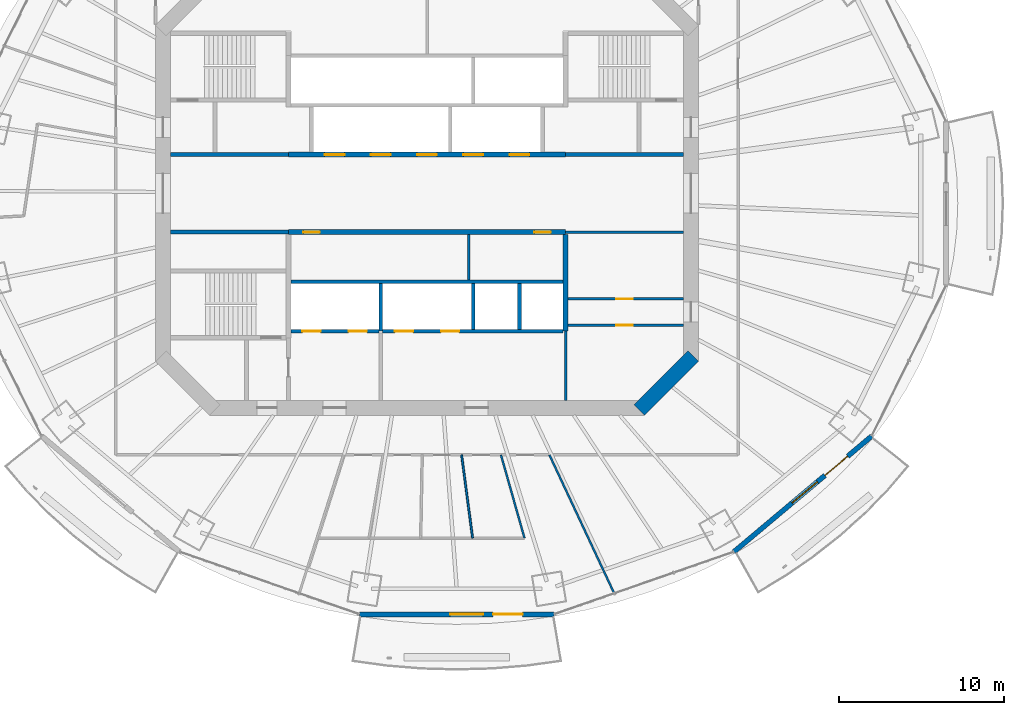
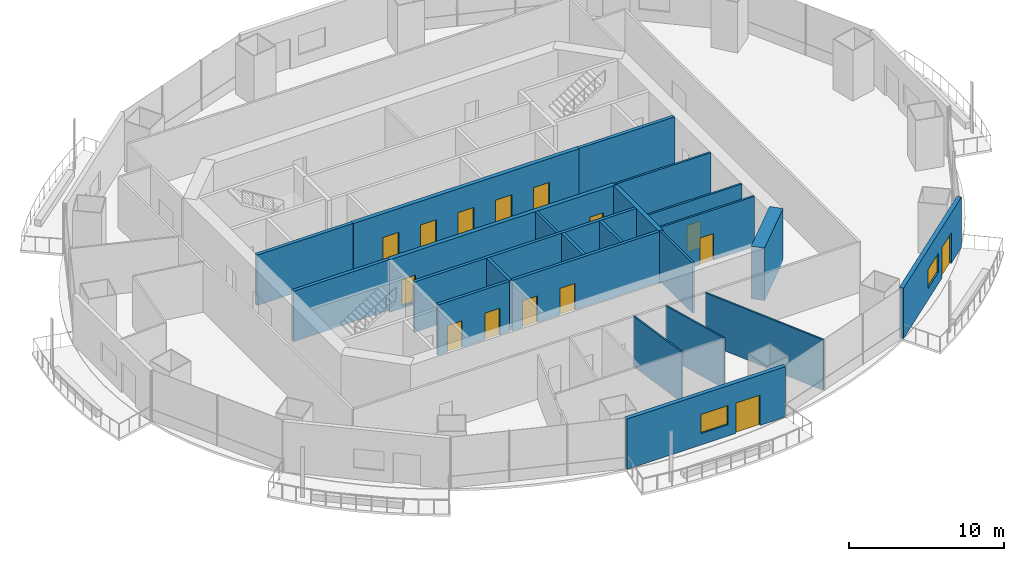
# One storey, part 11 of 19: 23 walls, 15 doors, 2 windows, 17 openings.
"""IFC4 building model written with IfcOpenShell, lengths in metres."""

from ifc_helpers import new_model, si_unit, direction, frame, frame_2d, origin, place, context, subcontext, project, spatial, rectangle, extrude, material, layer, layer_set, type_object, element, fill, save


model = new_model("IFC4")

# Units and contexts
model_context = context("Model", 3, precision=1e-05, world=origin(), true_north=direction((0.0, 1.0)))
body_context = subcontext(model_context, "Body", "Model", "MODEL_VIEW")
ifc_project = project(units=[si_unit("LENGTHUNIT", "METRE"), si_unit("AREAUNIT", "SQUARE_METRE"), si_unit("VOLUMEUNIT", "CUBIC_METRE"), si_unit("PLANEANGLEUNIT", "RADIAN"), si_unit("MASSUNIT", "GRAM", prefix="KILO")], contexts=[model_context])

# Site, building, storey
site_placement = place(None, origin())
site = spatial("IfcSite", under=ifc_project, at=site_placement, CompositionType="ELEMENT")
building_placement = place(site_placement, origin())
building = spatial("IfcBuilding", under=site, at=building_placement, Name="Marenthal Gate Tower", CompositionType="ELEMENT")
storey_placement = place(building_placement, frame((0.0, 0.0, 235.75)))
storey = spatial("IfcBuildingStorey", under=building, at=storey_placement, Name="L52", CompositionType="ELEMENT", Elevation=235.75)

# Wall
ifc_material_1 = material(Name="Concrete 60 MPa", Category="concrete")
ifc_layer_1 = layer(ifc_material_1, 0.89990234375)
ifc_layer_set_1 = layer_set([ifc_layer_1], Name="Core shear wall 900")
wall_type_1 = type_object("IfcWallType", Name="Core shear wall 900", PredefinedType="SHEAR", material=ifc_layer_set_1)
wall_1_placement = place(storey_placement, frame((12.8681640625, -13.1318359375, -0.179931640625), z_axis=(0.0, 0.0, 1.0), x_axis=(0.707106781187, 0.707106781187, 0.0)))
element("IfcWall", 1, at=wall_1_placement, inside=storey, type_object=wall_type_1, Name="Core wall 01", PredefinedType="SHEAR", context=body_context, shape_type="SweptSolid", body=[
    extrude(rectangle(XDim=4.615478515625, YDim=0.89990234375, at=frame_2d((2.3076171875, 0.0))), origin(), (0.0, 0.0, 1.0), 4.14990234375),
])

# Wall, openings, doors
ifc_material_2 = material(Name="Concrete 50 MPa", Category="concrete")
ifc_layer_2 = layer(ifc_material_2, 0.300048828125)
ifc_layer_set_2 = layer_set([ifc_layer_2], Name="Hoistway shear wall 300")
wall_type_2 = type_object("IfcWallType", Name="Hoistway shear wall 300", PredefinedType="SHEAR", material=ifc_layer_set_2)
wall_2_placement = place(storey_placement, frame((-8.39990234375, -2.35009765625, -0.179931640625), z_axis=(0.0, 0.0, 1.0), x_axis=(1.0, 0.0, 0.0)))
wall_2 = element("IfcWall", 2, at=wall_2_placement, inside=storey, type_object=wall_type_2, Name="Hoistway wall 17", PredefinedType="SHEAR", context=body_context, shape_type="SweptSolid", body=[
    extrude(rectangle(XDim=16.7998046875, YDim=0.300048828125, at=frame_2d((8.39990234375, 0.0))), origin(), (0.0, 0.0, 1.0), 4.14990234375),
])
opening_1_placement = place(wall_2_placement, frame((0.89990234375, 0.0, 0.179931640625)))
opening_1 = element("IfcOpeningElement", 3, at=opening_1_placement, cuts=wall_2, Name="Opening D005.01", PredefinedType="OPENING", context=body_context, shape_type="SweptSolid", body=[
    extrude(rectangle(XDim=1.0, YDim=2.10009765625, at=frame_2d((0.5, 1.050048828125))), frame((0.0, 0.16015625, 0.0), z_axis=(0.0, -1.0, 0.0), x_axis=(1.0, 0.0, 0.0)), (0.0, 0.0, 1.0), 0.320068359375),
])
opening_2_placement = place(wall_2_placement, frame((14.89990234375, 0.0, 0.179931640625)))
opening_2 = element("IfcOpeningElement", 4, at=opening_2_placement, cuts=wall_2, Name="Opening D005.02", PredefinedType="OPENING", context=body_context, shape_type="SweptSolid", body=[
    extrude(rectangle(XDim=1.0, YDim=2.10009765625, at=frame_2d((0.5, 1.050048828125))), frame((0.0, 0.16015625, 0.0), z_axis=(0.0, -1.0, 0.0), x_axis=(1.0, 0.0, 0.0)), (0.0, 0.0, 1.0), 0.320068359375),
])
ifc_material_3 = material(Name="Steel fire door", Category="steel")
door_type_1 = type_object("IfcDoorType", Name="Fire door FD 45 1000 x 2100", OperationType="NOTDEFINED", PredefinedType="DOOR", material=ifc_material_3)
door_1_placement = place(opening_1_placement, frame((1.0, 0.0, 0.0), z_axis=(0.0, 0.0, 1.0), x_axis=(-1.0, 0.0, 0.0)))
door_1 = element("IfcDoor", 5, at=door_1_placement, inside=storey, type_object=door_type_1, Name="Door D005.01", OperationType="SINGLE_SWING_LEFT", OverallHeight=2.10009765625, OverallWidth=1.0, PredefinedType="DOOR", context=body_context, shape_type="SweptSolid", body=[
    extrude(rectangle(XDim=1.0, YDim=2.10009765625, at=frame_2d((0.5, 1.050048828125))), frame((0.0, 0.02490234375, 0.0), z_axis=(0.0, -1.0, 0.0), x_axis=(1.0, 0.0, 0.0)), (0.0, 0.0, 1.0), 0.050048828125),
])
fill(opening_1, door_1)
door_2_placement = place(opening_2_placement, frame((1.0, 0.0, 0.0), z_axis=(0.0, 0.0, 1.0), x_axis=(-1.0, 0.0, 0.0)))
door_2 = element("IfcDoor", 6, at=door_2_placement, inside=storey, type_object=door_type_1, Name="Door D005.02", OperationType="SINGLE_SWING_LEFT", OverallHeight=2.10009765625, OverallWidth=1.0, PredefinedType="DOOR", context=body_context, shape_type="SweptSolid", body=[
    extrude(rectangle(XDim=1.0, YDim=2.10009765625, at=frame_2d((0.5, 1.050048828125))), frame((0.0, 0.02490234375, 0.0), z_axis=(0.0, -1.0, 0.0), x_axis=(1.0, 0.0, 0.0)), (0.0, 0.0, 1.0), 0.050048828125),
])
fill(opening_2, door_2)

wall_3_placement = place(storey_placement, frame((-8.39990234375, 2.35009765625, -0.179931640625), z_axis=(0.0, 0.0, 1.0), x_axis=(1.0, 0.0, 0.0)))
wall_3 = element("IfcWall", 7, at=wall_3_placement, inside=storey, type_object=wall_type_2, Name="Hoistway wall 20", PredefinedType="SHEAR", context=body_context, shape_type="SweptSolid", body=[
    extrude(rectangle(XDim=16.7998046875, YDim=0.300048828125, at=frame_2d((8.39990234375, 0.0))), origin(), (0.0, 0.0, 1.0), 4.14990234375),
])
opening_3_placement = place(wall_3_placement, frame((2.199951171875, 0.0, 0.179931640625)))
opening_3 = element("IfcOpeningElement", 8, at=opening_3_placement, cuts=wall_3, Name="Opening LD-MP1", PredefinedType="OPENING", context=body_context, shape_type="SweptSolid", body=[
    extrude(rectangle(XDim=1.199951171875, YDim=2.10009765625, at=frame_2d((0.60009765625, 1.050048828125))), frame((0.0, 0.16015625, 0.0), z_axis=(0.0, -1.0, 0.0), x_axis=(1.0, 0.0, 0.0)), (0.0, 0.0, 1.0), 0.320068359375),
])
opening_4_placement = place(wall_3_placement, frame((5.0, 0.0, 0.179931640625)))
opening_4 = element("IfcOpeningElement", 9, at=opening_4_placement, cuts=wall_3, Name="Opening LD-MP2", PredefinedType="OPENING", context=body_context, shape_type="SweptSolid", body=[
    extrude(rectangle(XDim=1.199951171875, YDim=2.10009765625, at=frame_2d((0.60009765625, 1.050048828125))), frame((0.0, 0.16015625, 0.0), z_axis=(0.0, -1.0, 0.0), x_axis=(1.0, 0.0, 0.0)), (0.0, 0.0, 1.0), 0.320068359375),
])
opening_5_placement = place(wall_3_placement, frame((7.800048828125, 0.0, 0.179931640625)))
opening_5 = element("IfcOpeningElement", 10, at=opening_5_placement, cuts=wall_3, Name="Opening LD-MP3", PredefinedType="OPENING", context=body_context, shape_type="SweptSolid", body=[
    extrude(rectangle(XDim=1.199951171875, YDim=2.10009765625, at=frame_2d((0.60009765625, 1.050048828125))), frame((0.0, 0.16015625, 0.0), z_axis=(0.0, -1.0, 0.0), x_axis=(1.0, 0.0, 0.0)), (0.0, 0.0, 1.0), 0.320068359375),
])
opening_6_placement = place(wall_3_placement, frame((10.60009765625, 0.0, 0.179931640625)))
opening_6 = element("IfcOpeningElement", 11, at=opening_6_placement, cuts=wall_3, Name="Opening LD-MP4", PredefinedType="OPENING", context=body_context, shape_type="SweptSolid", body=[
    extrude(rectangle(XDim=1.199951171875, YDim=2.10009765625, at=frame_2d((0.60009765625, 1.050048828125))), frame((0.0, 0.16015625, 0.0), z_axis=(0.0, -1.0, 0.0), x_axis=(1.0, 0.0, 0.0)), (0.0, 0.0, 1.0), 0.320068359375),
])
opening_7_placement = place(wall_3_placement, frame((13.39990234375, 0.0, 0.179931640625)))
opening_7 = element("IfcOpeningElement", 12, at=opening_7_placement, cuts=wall_3, Name="Opening LD-MP5", PredefinedType="OPENING", context=body_context, shape_type="SweptSolid", body=[
    extrude(rectangle(XDim=1.199951171875, YDim=2.10009765625, at=frame_2d((0.60009765625, 1.050048828125))), frame((0.0, 0.16015625, 0.0), z_axis=(0.0, -1.0, 0.0), x_axis=(1.0, 0.0, 0.0)), (0.0, 0.0, 1.0), 0.320068359375),
])
ifc_material_4 = material(Name="Stainless steel sliding door", Category="steel")
door_type_2 = type_object("IfcDoorType", Name="Lift landing door FD 90 1200 x 2100", OperationType="DOUBLE_DOOR_SLIDING", PredefinedType="DOOR", material=ifc_material_4)
door_3_placement = place(opening_3_placement, origin())
door_3 = element("IfcDoor", 13, at=door_3_placement, inside=storey, type_object=door_type_2, Name="Lift landing door MP1", OperationType="DOUBLE_DOOR_SLIDING", OverallHeight=2.10009765625, OverallWidth=1.199951171875, PredefinedType="DOOR", context=body_context, shape_type="SweptSolid", body=[
    extrude(rectangle(XDim=1.199951171875, YDim=2.10009765625, at=frame_2d((0.60009765625, 1.050048828125))), frame((0.0, 0.02490234375, 0.0), z_axis=(0.0, -1.0, 0.0), x_axis=(1.0, 0.0, 0.0)), (0.0, 0.0, 1.0), 0.050048828125),
])
fill(opening_3, door_3)
door_4_placement = place(opening_4_placement, origin())
door_4 = element("IfcDoor", 14, at=door_4_placement, inside=storey, type_object=door_type_2, Name="Lift landing door MP2", OperationType="DOUBLE_DOOR_SLIDING", OverallHeight=2.10009765625, OverallWidth=1.199951171875, PredefinedType="DOOR", context=body_context, shape_type="SweptSolid", body=[
    extrude(rectangle(XDim=1.199951171875, YDim=2.10009765625, at=frame_2d((0.60009765625, 1.050048828125))), frame((0.0, 0.02490234375, 0.0), z_axis=(0.0, -1.0, 0.0), x_axis=(1.0, 0.0, 0.0)), (0.0, 0.0, 1.0), 0.050048828125),
])
fill(opening_4, door_4)
door_5_placement = place(opening_5_placement, origin())
door_5 = element("IfcDoor", 15, at=door_5_placement, inside=storey, type_object=door_type_2, Name="Lift landing door MP3", OperationType="DOUBLE_DOOR_SLIDING", OverallHeight=2.10009765625, OverallWidth=1.199951171875, PredefinedType="DOOR", context=body_context, shape_type="SweptSolid", body=[
    extrude(rectangle(XDim=1.199951171875, YDim=2.10009765625, at=frame_2d((0.60009765625, 1.050048828125))), frame((0.0, 0.02490234375, 0.0), z_axis=(0.0, -1.0, 0.0), x_axis=(1.0, 0.0, 0.0)), (0.0, 0.0, 1.0), 0.050048828125),
])
fill(opening_5, door_5)
door_6_placement = place(opening_6_placement, origin())
door_6 = element("IfcDoor", 16, at=door_6_placement, inside=storey, type_object=door_type_2, Name="Lift landing door MP4", OperationType="DOUBLE_DOOR_SLIDING", OverallHeight=2.10009765625, OverallWidth=1.199951171875, PredefinedType="DOOR", context=body_context, shape_type="SweptSolid", body=[
    extrude(rectangle(XDim=1.199951171875, YDim=2.10009765625, at=frame_2d((0.60009765625, 1.050048828125))), frame((0.0, 0.02490234375, 0.0), z_axis=(0.0, -1.0, 0.0), x_axis=(1.0, 0.0, 0.0)), (0.0, 0.0, 1.0), 0.050048828125),
])
fill(opening_6, door_6)
door_7_placement = place(opening_7_placement, origin())
door_7 = element("IfcDoor", 17, at=door_7_placement, inside=storey, type_object=door_type_2, Name="Lift landing door MP5", OperationType="DOUBLE_DOOR_SLIDING", OverallHeight=2.10009765625, OverallWidth=1.199951171875, PredefinedType="DOOR", context=body_context, shape_type="SweptSolid", body=[
    extrude(rectangle(XDim=1.199951171875, YDim=2.10009765625, at=frame_2d((0.60009765625, 1.050048828125))), frame((0.0, 0.02490234375, 0.0), z_axis=(0.0, -1.0, 0.0), x_axis=(1.0, 0.0, 0.0)), (0.0, 0.0, 1.0), 0.050048828125),
])
fill(opening_7, door_7)

# Wall
wall_4_placement = place(storey_placement, frame((8.39990234375, -8.35009765625, -0.179931640625), z_axis=(0.0, 0.0, 1.0), x_axis=(0.0, 1.0, 0.0)))
element("IfcWall", 18, at=wall_4_placement, inside=storey, type_object=wall_type_2, Name="Hoistway wall 45", PredefinedType="SHEAR", context=body_context, shape_type="SweptSolid", body=[
    extrude(rectangle(XDim=5.85009765625, YDim=0.300048828125, at=frame_2d((2.925048828125, 0.0))), origin(), (0.0, 0.0, 1.0), 4.14990234375),
])

# Wall, openings, doors
ifc_material_5 = material(Name="Concrete 40 MPa", Category="concrete")
ifc_layer_3 = layer(ifc_material_5, 0.219970703125)
ifc_layer_set_3 = layer_set([ifc_layer_3], Name="Hoistway wall 220")
wall_type_3 = type_object("IfcWallType", Name="Hoistway wall 220", PredefinedType="STANDARD", material=ifc_layer_set_3)
wall_5_placement = place(storey_placement, frame((-8.25, -8.35009765625, 0.0), z_axis=(0.0, 0.0, 1.0), x_axis=(1.0, 0.0, 0.0)))
wall_5 = element("IfcWall", 19, at=wall_5_placement, inside=storey, type_object=wall_type_3, Name="Hoistway wall 10", PredefinedType="STANDARD", context=body_context, shape_type="SweptSolid", body=[
    extrude(rectangle(XDim=5.340087890625, YDim=0.219970703125, at=frame_2d((2.669921875, 0.0))), origin(), (0.0, 0.0, 1.0), 3.969970703125),
])
opening_8_placement = place(wall_5_placement, frame((0.699951171875, 0.0, 0.0)))
opening_8 = element("IfcOpeningElement", 20, at=opening_8_placement, cuts=wall_5, Name="Opening LD-LF1", PredefinedType="OPENING", context=body_context, shape_type="SweptSolid", body=[
    extrude(rectangle(XDim=1.10009765625, YDim=2.10009765625, at=frame_2d((0.550048828125, 1.050048828125))), frame((0.0, 0.1201171875, 0.0), z_axis=(0.0, -1.0, 0.0), x_axis=(1.0, 0.0, 0.0)), (0.0, 0.0, 1.0), 0.239990234375),
])
opening_9_placement = place(wall_5_placement, frame((3.5, 0.0, 0.0)))
opening_9 = element("IfcOpeningElement", 21, at=opening_9_placement, cuts=wall_5, Name="Opening LD-LF2", PredefinedType="OPENING", context=body_context, shape_type="SweptSolid", body=[
    extrude(rectangle(XDim=1.10009765625, YDim=2.10009765625, at=frame_2d((0.550048828125, 1.050048828125))), frame((0.0, 0.1201171875, 0.0), z_axis=(0.0, -1.0, 0.0), x_axis=(1.0, 0.0, 0.0)), (0.0, 0.0, 1.0), 0.239990234375),
])
ifc_material_6 = material(Name="Stainless steel sliding door", Category="steel")
door_type_3 = type_object("IfcDoorType", Name="Lift landing door FD 90 1100 x 2100", OperationType="DOUBLE_DOOR_SLIDING", PredefinedType="DOOR", material=ifc_material_6)
door_8_placement = place(opening_8_placement, origin())
door_8 = element("IfcDoor", 22, at=door_8_placement, inside=storey, type_object=door_type_3, Name="Lift landing door LF1", OperationType="DOUBLE_DOOR_SLIDING", OverallHeight=2.10009765625, OverallWidth=1.10009765625, PredefinedType="DOOR", context=body_context, shape_type="SweptSolid", body=[
    extrude(rectangle(XDim=1.10009765625, YDim=2.10009765625, at=frame_2d((0.550048828125, 1.050048828125))), frame((0.0, 0.02490234375, 0.0), z_axis=(0.0, -1.0, 0.0), x_axis=(1.0, 0.0, 0.0)), (0.0, 0.0, 1.0), 0.050048828125),
])
fill(opening_8, door_8)
door_9_placement = place(opening_9_placement, origin())
door_9 = element("IfcDoor", 23, at=door_9_placement, inside=storey, type_object=door_type_3, Name="Lift landing door LF2", OperationType="DOUBLE_DOOR_SLIDING", OverallHeight=2.10009765625, OverallWidth=1.10009765625, PredefinedType="DOOR", context=body_context, shape_type="SweptSolid", body=[
    extrude(rectangle(XDim=1.10009765625, YDim=2.10009765625, at=frame_2d((0.550048828125, 1.050048828125))), frame((0.0, 0.02490234375, 0.0), z_axis=(0.0, -1.0, 0.0), x_axis=(1.0, 0.0, 0.0)), (0.0, 0.0, 1.0), 0.050048828125),
])
fill(opening_9, door_9)

wall_6_placement = place(storey_placement, frame((-2.68994140625, -8.35009765625, 0.0), z_axis=(0.0, 0.0, 1.0), x_axis=(1.0, 0.0, 0.0)))
wall_6 = element("IfcWall", 24, at=wall_6_placement, inside=storey, type_object=wall_type_3, Name="Hoistway wall 11", PredefinedType="STANDARD", context=body_context, shape_type="SweptSolid", body=[
    extrude(rectangle(XDim=10.93994140625, YDim=0.219970703125, at=frame_2d((5.469970703125, 0.0))), origin(), (0.0, 0.0, 1.0), 3.969970703125),
])
opening_10_placement = place(wall_6_placement, frame((0.739990234375, 0.0, 0.0)))
opening_10 = element("IfcOpeningElement", 25, at=opening_10_placement, cuts=wall_6, Name="Opening LD-SV1", PredefinedType="OPENING", context=body_context, shape_type="SweptSolid", body=[
    extrude(rectangle(XDim=1.10009765625, YDim=2.10009765625, at=frame_2d((0.550048828125, 1.050048828125))), frame((0.0, 0.1201171875, 0.0), z_axis=(0.0, -1.0, 0.0), x_axis=(1.0, 0.0, 0.0)), (0.0, 0.0, 1.0), 0.239990234375),
])
opening_11_placement = place(wall_6_placement, frame((3.5400390625, 0.0, 0.0)))
opening_11 = element("IfcOpeningElement", 26, at=opening_11_placement, cuts=wall_6, Name="Opening LD-SV2", PredefinedType="OPENING", context=body_context, shape_type="SweptSolid", body=[
    extrude(rectangle(XDim=1.10009765625, YDim=2.10009765625, at=frame_2d((0.550048828125, 1.050048828125))), frame((0.0, 0.1201171875, 0.0), z_axis=(0.0, -1.0, 0.0), x_axis=(1.0, 0.0, 0.0)), (0.0, 0.0, 1.0), 0.239990234375),
])
door_10_placement = place(opening_10_placement, origin())
door_10 = element("IfcDoor", 27, at=door_10_placement, inside=storey, type_object=door_type_3, Name="Lift landing door SV1", OperationType="DOUBLE_DOOR_SLIDING", OverallHeight=2.10009765625, OverallWidth=1.10009765625, PredefinedType="DOOR", context=body_context, shape_type="SweptSolid", body=[
    extrude(rectangle(XDim=1.10009765625, YDim=2.10009765625, at=frame_2d((0.550048828125, 1.050048828125))), frame((0.0, 0.02490234375, 0.0), z_axis=(0.0, -1.0, 0.0), x_axis=(1.0, 0.0, 0.0)), (0.0, 0.0, 1.0), 0.050048828125),
])
fill(opening_10, door_10)
door_11_placement = place(opening_11_placement, origin())
door_11 = element("IfcDoor", 28, at=door_11_placement, inside=storey, type_object=door_type_3, Name="Lift landing door SV2", OperationType="DOUBLE_DOOR_SLIDING", OverallHeight=2.10009765625, OverallWidth=1.10009765625, PredefinedType="DOOR", context=body_context, shape_type="SweptSolid", body=[
    extrude(rectangle(XDim=1.10009765625, YDim=2.10009765625, at=frame_2d((0.550048828125, 1.050048828125))), frame((0.0, 0.02490234375, 0.0), z_axis=(0.0, -1.0, 0.0), x_axis=(1.0, 0.0, 0.0)), (0.0, 0.0, 1.0), 0.050048828125),
])
fill(opening_11, door_11)

# Walls
wall_7_placement = place(storey_placement, frame((-8.25, -5.35009765625, 0.0), z_axis=(0.0, 0.0, 1.0), x_axis=(1.0, 0.0, 0.0)))
element("IfcWall", 29, at=wall_7_placement, inside=storey, type_object=wall_type_3, Name="Hoistway wall 14", PredefinedType="STANDARD", context=body_context, shape_type="SweptSolid", body=[
    extrude(rectangle(XDim=16.5, YDim=0.219970703125, at=frame_2d((8.25, 0.0))), origin(), (0.0, 0.0, 1.0), 3.969970703125),
])
wall_8_placement = place(storey_placement, frame((-2.800048828125, -8.35009765625, 0.0), z_axis=(0.0, 0.0, 1.0), x_axis=(0.0, 1.0, 0.0)))
element("IfcWall", 30, at=wall_8_placement, inside=storey, type_object=wall_type_3, Name="Hoistway wall 36", PredefinedType="STANDARD", context=body_context, shape_type="SweptSolid", body=[
    extrude(rectangle(XDim=2.89013671875, YDim=0.219970703125, at=frame_2d((1.445068359375, 0.0))), origin(), (0.0, 0.0, 1.0), 3.969970703125),
])
for number, where, z_axis, x_axis, name in (
    (31, (2.800048828125, -8.239990234375, 0.0), (0.0, 0.0, 1.0), (0.0, 1.0, 0.0), "Hoistway wall 40"),
    (32, (5.60009765625, -8.239990234375, 0.0), (0.0, 0.0, 1.0), (0.0, 1.0, 0.0), "Hoistway wall 42"),
):
    element("IfcWall", number, at=place(storey_placement, frame(where, z_axis=z_axis, x_axis=x_axis)), inside=storey, type_object=wall_type_3, Name=name, PredefinedType="STANDARD", context=body_context, shape_type="SweptSolid", body=[
        extrude(rectangle(XDim=2.780029296875, YDim=0.219970703125, at=frame_2d((1.39013671875, 0.0))), origin(), (0.0, 0.0, 1.0), 3.969970703125),
    ])
ifc_material_7 = material(Name="Gypsum board on steel studs", Category="steel")
ifc_layer_4 = layer(ifc_material_7, 0.1201171875)
ifc_layer_set_4 = layer_set([ifc_layer_4], Name="Partition 120")
wall_type_4 = type_object("IfcWallType", Name="Partition 120", PredefinedType="PARTITIONING", material=ifc_layer_set_4)
wall_9_placement = place(storey_placement, frame((2.760498046875, -20.88623046875, 0.0), z_axis=(0.0, 0.0, 1.0), x_axis=(-0.131011450979, 0.991380855026, 0.0)))
element("IfcWall", 33, at=wall_9_placement, inside=storey, type_object=wall_type_4, Name="Partition wall 61", PredefinedType="PARTITIONING", context=body_context, shape_type="SweptSolid", body=[
    extrude(rectangle(XDim=5.079833984375, YDim=0.1201171875, at=frame_2d((2.5400390625, 0.0))), origin(), (0.0, 0.0, 1.0), 3.969970703125),
])
wall_10_placement = place(storey_placement, frame((5.90478515625, -20.88623046875, 0.0), z_axis=(0.0, 0.0, 1.0), x_axis=(-0.272058427556, 0.962280734503, 0.0)))
element("IfcWall", 34, at=wall_10_placement, inside=storey, type_object=wall_type_4, Name="Partition wall 62", PredefinedType="PARTITIONING", context=body_context, shape_type="SweptSolid", body=[
    extrude(rectangle(XDim=5.233642578125, YDim=0.1201171875, at=frame_2d((2.61669921875, 0.0))), origin(), (0.0, 0.0, 1.0), 3.969970703125),
])
wall_11_placement = place(storey_placement, frame((7.41650390625, -15.85009765625, 0.0), z_axis=(0.0, 0.0, 1.0), x_axis=(0.423847224257, -0.905733697336, 0.0)))
element("IfcWall", 35, at=wall_11_placement, inside=storey, type_object=wall_type_4, Name="Partition wall 63", PredefinedType="PARTITIONING", context=body_context, shape_type="SweptSolid", body=[
    extrude(rectangle(XDim=9.266845703125, YDim=0.1201171875, at=frame_2d((4.63330078125, 0.0))), origin(), (0.0, 0.0, 1.0), 3.969970703125),
])

# Wall, opening, door
ifc_material_8 = material(Name="Gypsum board on steel studs", Category="steel")
ifc_layer_5 = layer(ifc_material_8, 0.14990234375)
ifc_layer_set_5 = layer_set([ifc_layer_5], Name="Partition 150")
wall_type_5 = type_object("IfcWallType", Name="Partition 150", PredefinedType="PARTITIONING", material=ifc_layer_set_5)
wall_12_placement = place(storey_placement, frame((8.550048828125, -8.0, 0.0), z_axis=(0.0, 0.0, 1.0), x_axis=(1.0, 0.0, 0.0)))
wall_12 = element("IfcWall", 36, at=wall_12_placement, inside=storey, type_object=wall_type_5, Name="Partition wall 12", PredefinedType="PARTITIONING", context=body_context, shape_type="SweptSolid", body=[
    extrude(rectangle(XDim=7.0, YDim=0.14990234375, at=frame_2d((3.5, 0.0))), origin(), (0.0, 0.0, 1.0), 3.969970703125),
])
opening_12_placement = place(wall_12_placement, frame((2.925048828125, 0.0, 0.0)))
opening_12 = element("IfcOpeningElement", 37, at=opening_12_placement, cuts=wall_12, Name="Opening D005.06", PredefinedType="OPENING", context=body_context, shape_type="SweptSolid", body=[
    extrude(rectangle(XDim=1.0, YDim=2.10009765625, at=frame_2d((0.5, 1.050048828125))), frame((0.0, 0.0849609375, 0.0), z_axis=(0.0, -1.0, 0.0), x_axis=(1.0, 0.0, 0.0)), (0.0, 0.0, 1.0), 0.169921875),
])
door_12_placement = place(opening_12_placement, frame((1.0, 0.0, 0.0), z_axis=(0.0, 0.0, 1.0), x_axis=(-1.0, 0.0, 0.0)))
door_12 = element("IfcDoor", 38, at=door_12_placement, inside=storey, type_object=door_type_1, Name="Door D005.06", OperationType="SINGLE_SWING_LEFT", OverallHeight=2.10009765625, OverallWidth=1.0, PredefinedType="DOOR", context=body_context, shape_type="SweptSolid", body=[
    extrude(rectangle(XDim=1.0, YDim=2.10009765625, at=frame_2d((0.5, 1.050048828125))), frame((0.0, 0.02490234375, 0.0), z_axis=(0.0, -1.0, 0.0), x_axis=(1.0, 0.0, 0.0)), (0.0, 0.0, 1.0), 0.050048828125),
])
fill(opening_12, door_12)

wall_13_placement = place(storey_placement, frame((8.550048828125, -6.39990234375, 0.0), z_axis=(0.0, 0.0, 1.0), x_axis=(1.0, 0.0, 0.0)))
wall_13 = element("IfcWall", 39, at=wall_13_placement, inside=storey, type_object=wall_type_5, Name="Partition wall 13", PredefinedType="PARTITIONING", context=body_context, shape_type="SweptSolid", body=[
    extrude(rectangle(XDim=7.0, YDim=0.14990234375, at=frame_2d((3.5, 0.0))), origin(), (0.0, 0.0, 1.0), 3.969970703125),
])
opening_13_placement = place(wall_13_placement, frame((2.925048828125, 0.0, 0.0)))
opening_13 = element("IfcOpeningElement", 40, at=opening_13_placement, cuts=wall_13, Name="Opening D005.05", PredefinedType="OPENING", context=body_context, shape_type="SweptSolid", body=[
    extrude(rectangle(XDim=1.0, YDim=2.10009765625, at=frame_2d((0.5, 1.050048828125))), frame((0.0, 0.0849609375, 0.0), z_axis=(0.0, -1.0, 0.0), x_axis=(1.0, 0.0, 0.0)), (0.0, 0.0, 1.0), 0.169921875),
])
door_13_placement = place(opening_13_placement, origin())
door_13 = element("IfcDoor", 41, at=door_13_placement, inside=storey, type_object=door_type_1, Name="Door D005.05", OperationType="SINGLE_SWING_RIGHT", OverallHeight=2.10009765625, OverallWidth=1.0, PredefinedType="DOOR", context=body_context, shape_type="SweptSolid", body=[
    extrude(rectangle(XDim=1.0, YDim=2.10009765625, at=frame_2d((0.5, 1.050048828125))), frame((0.0, 0.02490234375, 0.0), z_axis=(0.0, -1.0, 0.0), x_axis=(1.0, 0.0, 0.0)), (0.0, 0.0, 1.0), 0.050048828125),
])
fill(opening_13, door_13)

# Walls
wall_14_placement = place(storey_placement, frame((8.39990234375, -2.35009765625, 0.0), z_axis=(0.0, 0.0, 1.0), x_axis=(1.0, 0.0, 0.0)))
element("IfcWall", 42, at=wall_14_placement, inside=storey, type_object=wall_type_5, Name="Partition wall 18", PredefinedType="PARTITIONING", context=body_context, shape_type="SweptSolid", body=[
    extrude(rectangle(XDim=7.150146484375, YDim=0.14990234375, at=frame_2d((3.5751953125, 0.0))), origin(), (0.0, 0.0, 1.0), 3.969970703125),
])
wall_15_placement = place(storey_placement, frame((2.52001953125, -5.239990234375, 0.0), z_axis=(0.0, 0.0, 1.0), x_axis=(0.0, 1.0, 0.0)))
element("IfcWall", 43, at=wall_15_placement, inside=storey, type_object=wall_type_5, Name="Partition wall 39", PredefinedType="PARTITIONING", context=body_context, shape_type="SweptSolid", body=[
    extrude(rectangle(XDim=2.739990234375, YDim=0.14990234375, at=frame_2d((1.3701171875, 0.0))), origin(), (0.0, 0.0, 1.0), 3.969970703125),
])
wall_16_placement = place(storey_placement, frame((8.39990234375, -12.550048828125, 0.0), z_axis=(0.0, 0.0, 1.0), x_axis=(0.0, 1.0, 0.0)))
element("IfcWall", 44, at=wall_16_placement, inside=storey, type_object=wall_type_5, Name="Partition wall 44", PredefinedType="PARTITIONING", context=body_context, shape_type="SweptSolid", body=[
    extrude(rectangle(XDim=4.199951171875, YDim=0.14990234375, at=frame_2d((2.10009765625, 0.0))), origin(), (0.0, 0.0, 1.0), 3.969970703125),
])
ifc_material_9 = material(Name="Concrete 40 MPa", Category="concrete")
ifc_layer_6 = layer(ifc_material_9, 0.25)
ifc_layer_set_6 = layer_set([ifc_layer_6], Name="Stair enclosure wall 250")
wall_type_6 = type_object("IfcWallType", Name="Stair enclosure wall 250", PredefinedType="STANDARD", material=ifc_layer_set_6)
for number, where, z_axis, x_axis, name in (
    (45, (-15.550048828125, -2.35009765625, 0.0), (0.0, 0.0, 1.0), (1.0, 0.0, 0.0), "Stair wall 16"),
    (46, (-15.550048828125, 2.35009765625, 0.0), (0.0, 0.0, 1.0), (1.0, 0.0, 0.0), "Stair wall 19"),
    (47, (8.39990234375, 2.35009765625, 0.0), (0.0, 0.0, 1.0), (1.0, 0.0, 0.0), "Stair wall 21"),
):
    element("IfcWall", number, at=place(storey_placement, frame(where, z_axis=z_axis, x_axis=x_axis)), inside=storey, type_object=wall_type_6, Name=name, PredefinedType="STANDARD", context=body_context, shape_type="SweptSolid", body=[
        extrude(rectangle(XDim=7.150146484375, YDim=0.25, at=frame_2d((3.5751953125, 0.0))), origin(), (0.0, 0.0, 1.0), 3.969970703125),
    ])

# Wall, openings, door, window
ifc_material_10 = material(Name="Terracotta cladding on insulated concrete-block backing", Category="masonry")
ifc_layer_7 = layer(ifc_material_10, 0.300048828125)
ifc_layer_set_7 = layer_set([ifc_layer_7], Name="Terracotta facade wall 300")
wall_type_7 = type_object("IfcWallType", Name="Terracotta facade wall 300", PredefinedType="SOLIDWALL", material=ifc_layer_set_7)
wall_17_placement = place(storey_placement, frame((-4.1005859375, -25.510986328125, 0.0), z_axis=(0.0, 0.0, 1.0), x_axis=(1.0, 0.0, 0.0)))
wall_17 = element("IfcWall", 48, at=wall_17_placement, inside=storey, type_object=wall_type_7, Name="Terracotta facade wall L52 bay 12", PredefinedType="SOLIDWALL", context=body_context, shape_type="SweptSolid", body=[
    extrude(rectangle(XDim=11.801025390625, YDim=0.300048828125, at=frame_2d((5.900390625, 0.0))), origin(), (0.0, 0.0, 1.0), 3.969970703125),
])
opening_14_placement = place(wall_17_placement, frame((8.10107421875, 0.0, 0.0)))
opening_14 = element("IfcOpeningElement", 49, at=opening_14_placement, cuts=wall_17, Name="Opening BD-L52-12", PredefinedType="OPENING", context=body_context, shape_type="SweptSolid", body=[
    extrude(rectangle(XDim=1.800048828125, YDim=2.39990234375, at=frame_2d((0.89990234375, 1.199951171875))), frame((0.0, 0.16015625, 0.0), z_axis=(0.0, -1.0, 0.0), x_axis=(1.0, 0.0, 0.0)), (0.0, 0.0, 1.0), 0.320068359375),
])
opening_15_placement = place(wall_17_placement, frame((5.5009765625, 0.0, 0.89990234375)))
opening_15 = element("IfcOpeningElement", 50, at=opening_15_placement, cuts=wall_17, Name="Opening WN2-L52-12", PredefinedType="OPENING", context=body_context, shape_type="SweptSolid", body=[
    extrude(rectangle(XDim=2.0, YDim=1.5, at=frame_2d((1.0, 0.75))), frame((0.0, 0.16015625, 0.0), z_axis=(0.0, -1.0, 0.0), x_axis=(1.0, 0.0, 0.0)), (0.0, 0.0, 1.0), 0.320068359375),
])
ifc_material_11 = material(Name="Aluminium and glass", Category="aluminium")
door_type_4 = type_object("IfcDoorType", Name="Balcony door 1800x2400", OperationType="DOUBLE_DOOR_SINGLE_SWING", PredefinedType="DOOR", material=ifc_material_11)
door_14_placement = place(opening_14_placement, origin())
door_14 = element("IfcDoor", 51, at=door_14_placement, inside=storey, type_object=door_type_4, Name="Balcony door L52 bay 12", OperationType="SINGLE_SWING_LEFT", OverallHeight=2.39990234375, OverallWidth=1.800048828125, PredefinedType="DOOR", context=body_context, shape_type="SweptSolid", body=[
    extrude(rectangle(XDim=1.800048828125, YDim=2.39990234375, at=frame_2d((0.89990234375, 1.199951171875))), frame((0.0, 0.02490234375, 0.0), z_axis=(0.0, -1.0, 0.0), x_axis=(1.0, 0.0, 0.0)), (0.0, 0.0, 1.0), 0.050048828125),
])
fill(opening_14, door_14)
ifc_material_12 = material(Name="Aluminium and glass", Category="aluminium")
window_type = type_object("IfcWindowType", Name="Window 2000x1500", PartitioningType="DOUBLE_PANEL_VERTICAL", PredefinedType="WINDOW", material=ifc_material_12)
window_1_placement = place(opening_15_placement, origin())
window_1 = element("IfcWindow", 52, at=window_1_placement, inside=storey, type_object=window_type, Name="Window L52 bay 12", OverallHeight=1.5, OverallWidth=2.0, PartitioningType="SINGLE_PANEL", PredefinedType="WINDOW", context=body_context, shape_type="SweptSolid", body=[
    extrude(rectangle(XDim=2.0, YDim=1.5, at=frame_2d((1.0, 0.75))), frame((0.0, 0.030029296875, 0.0), z_axis=(0.0, -1.0, 0.0), x_axis=(1.0, 0.0, 0.0)), (0.0, 0.0, 1.0), 0.06005859375),
])
fill(opening_15, window_1)

wall_18_placement = place(storey_placement, frame((18.603271484375, -21.718505859375, 0.0), z_axis=(0.0, 0.0, 1.0), x_axis=(0.765786072148, 0.643095398603, 0.0)))
wall_18 = element("IfcWall", 53, at=wall_18_placement, inside=storey, type_object=wall_type_7, Name="Terracotta facade wall L52 bay 14", PredefinedType="SOLIDWALL", context=body_context, shape_type="SweptSolid", body=[
    extrude(rectangle(XDim=10.896728515625, YDim=0.300048828125, at=frame_2d((5.4482421875, 0.0))), origin(), (0.0, 0.0, 1.0), 3.969970703125),
])
opening_16_placement = place(wall_18_placement, frame((7.19677734375, 0.0, 0.0)))
opening_16 = element("IfcOpeningElement", 54, at=opening_16_placement, cuts=wall_18, Name="Opening BD-L52-14", PredefinedType="OPENING", context=body_context, shape_type="SweptSolid", body=[
    extrude(rectangle(XDim=1.800048828125, YDim=2.39990234375, at=frame_2d((0.89990234375, 1.199951171875))), frame((0.0, 0.16015625, 0.0), z_axis=(0.0, -1.0, 0.0), x_axis=(1.0, 0.0, 0.0)), (0.0, 0.0, 1.0), 0.320068359375),
])
opening_17_placement = place(wall_18_placement, frame((4.5966796875, 0.0, 0.89990234375)))
opening_17 = element("IfcOpeningElement", 55, at=opening_17_placement, cuts=wall_18, Name="Opening WN2-L52-14", PredefinedType="OPENING", context=body_context, shape_type="SweptSolid", body=[
    extrude(rectangle(XDim=2.0, YDim=1.5, at=frame_2d((1.0, 0.75))), frame((0.0, 0.16015625, 0.0), z_axis=(0.0, -1.0, 0.0), x_axis=(1.0, 0.0, 0.0)), (0.0, 0.0, 1.0), 0.320068359375),
])
door_15_placement = place(opening_16_placement, origin())
door_15 = element("IfcDoor", 56, at=door_15_placement, inside=storey, type_object=door_type_4, Name="Balcony door L52 bay 14", OperationType="SINGLE_SWING_LEFT", OverallHeight=2.39990234375, OverallWidth=1.800048828125, PredefinedType="DOOR", context=body_context, shape_type="SweptSolid", body=[
    extrude(rectangle(XDim=1.800048828125, YDim=2.39990234375, at=frame_2d((0.89990234375, 1.199951171875))), frame((0.0, 0.02490234375, 0.0), z_axis=(0.0, -1.0, 0.0), x_axis=(1.0, 0.0, 0.0)), (0.0, 0.0, 1.0), 0.050048828125),
])
fill(opening_16, door_15)
window_2_placement = place(opening_17_placement, origin())
window_2 = element("IfcWindow", 57, at=window_2_placement, inside=storey, type_object=window_type, Name="Window L52 bay 14", OverallHeight=1.5, OverallWidth=2.0, PartitioningType="SINGLE_PANEL", PredefinedType="WINDOW", context=body_context, shape_type="SweptSolid", body=[
    extrude(rectangle(XDim=2.0, YDim=1.5, at=frame_2d((1.0, 0.75))), frame((0.0, 0.030029296875, 0.0), z_axis=(0.0, -1.0, 0.0), x_axis=(1.0, 0.0, 0.0)), (0.0, 0.0, 1.0), 0.06005859375),
])
fill(opening_17, window_2)

save(model, "model.ifc")
